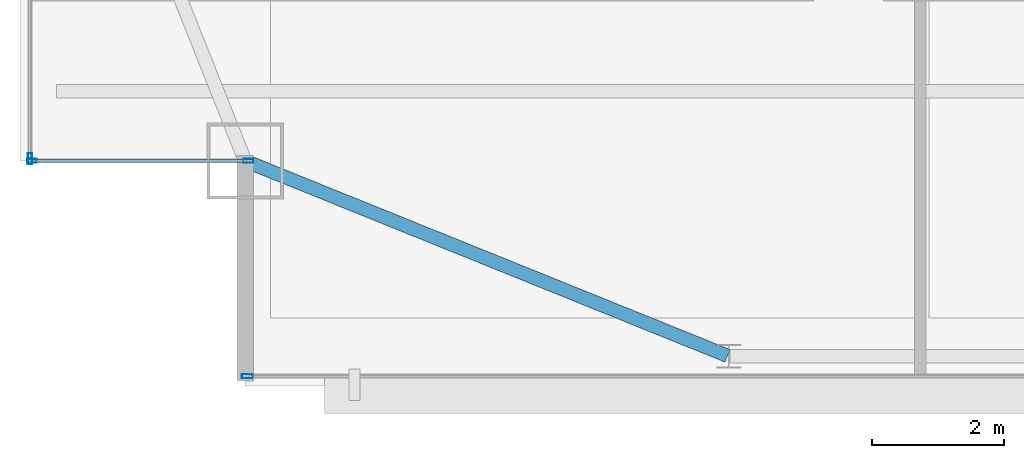
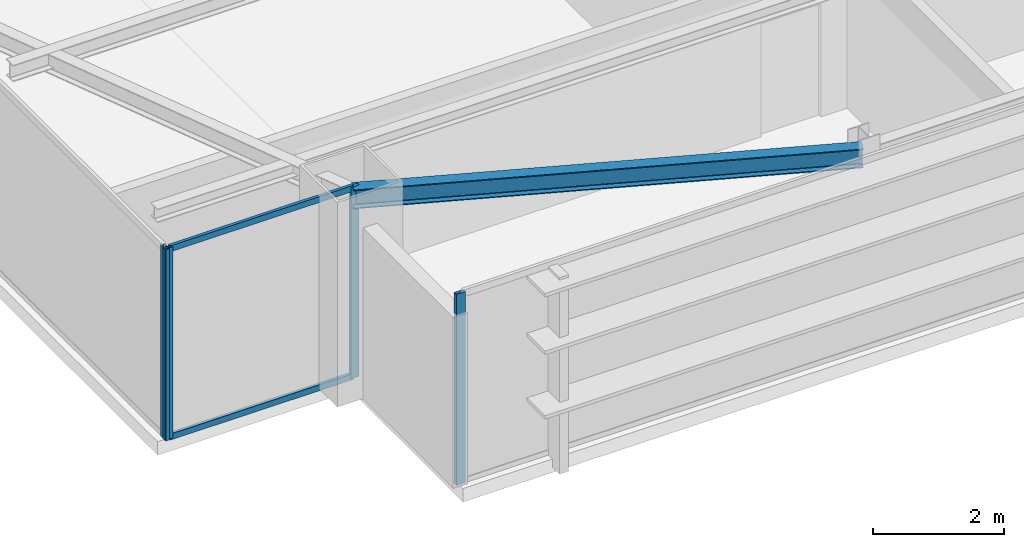
# One storey, part 4 of 25: 6 members, 1 beam, 3 elements without a shape of their own.
"""IFC4 building model written with IfcOpenShell, lengths in metres."""

from ifc_helpers import new_model, si_unit, direction, frame, origin, origin_2d, place, context, subcontext, project, spatial, hollow_rectangle, i_section, extrude, source, transform, mapped, material, layer, layer_set, material_profile, profile_set, type_object, type_shapes, element, aggregate, save


model = new_model("IFC4")

# Units and contexts
model_context = context("Model", 3, precision=1e-05, world=origin(), true_north=direction((0.0, 1.0)))
body_context = subcontext(model_context, "Body", "Model", "MODEL_VIEW")
ifc_project = project(units=[si_unit("LENGTHUNIT", "METRE"), si_unit("AREAUNIT", "SQUARE_METRE"), si_unit("VOLUMEUNIT", "CUBIC_METRE"), si_unit("PLANEANGLEUNIT", "RADIAN"), si_unit("MASSUNIT", "GRAM", prefix="KILO")], contexts=[model_context])

# Site, building, storey
site_placement = place(None, origin())
site = spatial("IfcSite", under=ifc_project, at=site_placement, CompositionType="ELEMENT")
building_placement = place(site_placement, origin())
building = spatial("IfcBuilding", under=site, at=building_placement, Name="Varnel Quay Broadcast Tower", CompositionType="ELEMENT")
storey_placement = place(building_placement, frame((0.0, 0.0, 226.39990234375)))
storey = spatial("IfcBuildingStorey", under=building, at=storey_placement, Name="L56", CompositionType="ELEMENT", Elevation=226.39990234375)

# Beam
ifc_material_1 = material(Name="Structural Steel CSA G40.21 350W", Category="steel")
ifc_material_profile_1 = material_profile(ifc_material_1, i_section(OverallWidth=0.205078125, OverallDepth=0.35400390625, WebThickness=0.009521484375, FlangeThickness=0.016845703125, FilletRadius=0.012939453125, at=origin_2d()), Name="W360X79")
ifc_profile_set_1 = profile_set([ifc_material_profile_1], Name="Structural Steel CSA G40.21 350W")
beam_type = type_object("IfcBeamType", Name="Beam_W360X79", PredefinedType="SPANDREL", material=ifc_profile_set_1)
shared_shape_1 = source(origin(), body_context, "Body", "SweptSolid", [
    extrude(i_section(OverallWidth=0.205078125, OverallDepth=0.35400390625, WebThickness=0.009521484375, FlangeThickness=0.016845703125, FilletRadius=0.012939453125, at=origin_2d()), origin(), (0.0, 0.0, 1.0), 7.83349609375),
])
type_shapes(beam_type, [shared_shape_1])
beam_placement = place(storey_placement, frame((12.91845703125, 13.592529296875, 3.373046875), z_axis=(0.927155449606, -0.374676890489, 0.0), x_axis=(0.374676890489, 0.927155449606, 0.0)))
element("IfcBeam", 1, at=beam_placement, inside=storey, type_object=beam_type, Name="L56 South Spandrel MC-SW-TC-S1", PredefinedType="SPANDREL", context=body_context, shape_type="MappedRepresentation", body=[
    mapped(shared_shape_1, transform((0.0, 0.0, 0.0), x_axis=(1.0, 0.0, 0.0), y_axis=(0.0, 1.0, 0.0), z_axis=(0.0, 0.0, 1.0), scale=1.0)),
])

# Curtain wall, members
ifc_material_2 = material(Name="Anodised Bronze Aluminium 6063-T6", Category="aluminium")
ifc_layer_1 = layer(ifc_material_2, 0.18994140625, Name="Anodised Bronze Aluminium 6063-T6")
ifc_layer_set_1 = layer_set([ifc_layer_1], Name="Anodised Bronze Aluminium 6063-T6")
curtain_wall_type_1 = type_object("IfcCurtainWallType", Name="CW_NotchCorner", PredefinedType="NOTDEFINED", material=ifc_layer_set_1)
curtain_wall_1_placement = place(storey_placement, origin())
curtain_wall_1 = element("IfcCurtainWall", 2, at=curtain_wall_1_placement, inside=storey, type_object=curtain_wall_type_1, Name="L56 SW Notch Curtain Wall", PredefinedType="NOTDEFINED")
ifc_material_profile_2 = material_profile(ifc_material_2, hollow_rectangle(XDim=0.06005859375, YDim=0.14501953125, WallThickness=0.00341796875, at=origin_2d()), Name="ALU60X145X3.5")
ifc_profile_set_2 = profile_set([ifc_material_profile_2], Name="Anodised Bronze Aluminium 6063-T6")
member_type_1 = type_object("IfcMemberType", Name="Mull_CWS-04", PredefinedType="MULLION", material=ifc_profile_set_2)
shared_shape_2 = source(origin(), body_context, "Body", "SweptSolid", [
    extrude(hollow_rectangle(XDim=0.06005859375, YDim=0.14501953125, WallThickness=0.00341796875, at=origin_2d()), origin(), (0.0, 0.0, 1.0), 3.550048828125),
])
type_shapes(member_type_1, [shared_shape_2])
member_1_placement = place(storey_placement, frame((9.679931640625, 13.60009765625, 0.0), z_axis=(0.0, 0.0, 1.0), x_axis=(0.0, 1.0, 0.0)))
member_1 = element("IfcMember", 3, at=member_1_placement, type_object=member_type_1, Name="CWS-04 mullion 1", PredefinedType="MULLION", context=body_context, shape_type="MappedRepresentation", body=[
    mapped(shared_shape_2, transform((0.0, 0.0, 0.0), x_axis=(1.0, 0.0, 0.0), y_axis=(0.0, 1.0, 0.0), z_axis=(0.0, 0.0, 1.0), scale=1.0)),
])
member_2_placement = place(storey_placement, frame((12.949951171875, 13.60009765625, 0.0), z_axis=(0.0, 0.0, 1.0), x_axis=(0.0, 1.0, 0.0)))
member_2 = element("IfcMember", 4, at=member_2_placement, type_object=member_type_1, Name="CWS-04 mullion 2", PredefinedType="MULLION", context=body_context, shape_type="MappedRepresentation", body=[
    mapped(shared_shape_2, transform((0.0, 0.0, 0.0), x_axis=(1.0, 0.0, 0.0), y_axis=(0.0, 1.0, 0.0), z_axis=(0.0, 0.0, 1.0), scale=1.0)),
])

# Curtain wall, member
ifc_layer_2 = layer(ifc_material_2, 0.18994140625, Name="Anodised Bronze Aluminium 6063-T6")
ifc_layer_set_2 = layer_set([ifc_layer_2], Name="Anodised Bronze Aluminium 6063-T6")
curtain_wall_type_2 = type_object("IfcCurtainWallType", Name="CW_UpperTower", PredefinedType="NOTDEFINED", material=ifc_layer_set_2)
curtain_wall_2_placement = place(storey_placement, origin())
curtain_wall_2 = element("IfcCurtainWall", 5, at=curtain_wall_2_placement, inside=storey, type_object=curtain_wall_type_2, Name="L56 South Unitised Curtain Wall 1", PredefinedType="NOTDEFINED")
ifc_material_profile_3 = material_profile(ifc_material_2, hollow_rectangle(XDim=0.06494140625, YDim=0.1650390625, WallThickness=0.00341796875, at=origin_2d()), Name="ALU65X165X3.5")
ifc_profile_set_3 = profile_set([ifc_material_profile_3], Name="Anodised Bronze Aluminium 6063-T6")
member_type_2 = type_object("IfcMemberType", Name="Mull_CWS-03", PredefinedType="MULLION", material=ifc_profile_set_3)
shared_shape_3 = source(origin(), body_context, "Body", "SweptSolid", [
    extrude(hollow_rectangle(XDim=0.06494140625, YDim=0.1650390625, WallThickness=0.00341796875, at=origin_2d()), origin(), (0.0, 0.0, 1.0), 3.550048828125),
])
type_shapes(member_type_2, [shared_shape_3])
member_3_placement = place(storey_placement, frame((12.9326171875, 10.35009765625, 0.0), z_axis=(0.0, 0.0, 1.0), x_axis=(0.0, 1.0, 0.0)))
member_3 = element("IfcMember", 6, at=member_3_placement, type_object=member_type_2, Name="CWS-03 mullion 1", PredefinedType="MULLION", context=body_context, shape_type="MappedRepresentation", body=[
    mapped(shared_shape_3, transform((0.0, 0.0, 0.0), x_axis=(1.0, 0.0, 0.0), y_axis=(0.0, 1.0, 0.0), z_axis=(0.0, 0.0, 1.0), scale=1.0)),
])
aggregate(curtain_wall_2, [member_3])

curtain_wall_3_placement = place(storey_placement, origin())
curtain_wall_3 = element("IfcCurtainWall", 7, at=curtain_wall_3_placement, inside=storey, type_object=curtain_wall_type_2, Name="L56 West Unitised Curtain Wall", PredefinedType="NOTDEFINED")
member_4_placement = place(storey_placement, frame((9.64990234375, 13.632568359375, 0.0), z_axis=(0.0, 0.0, 1.0), x_axis=(-1.0, 0.0, 0.0)))
member_4 = element("IfcMember", 8, at=member_4_placement, type_object=member_type_2, Name="CWS-03 mullion 1", PredefinedType="MULLION", context=body_context, shape_type="MappedRepresentation", body=[
    mapped(shared_shape_3, transform((0.0, 0.0, 0.0), x_axis=(1.0, 0.0, 0.0), y_axis=(0.0, 1.0, 0.0), z_axis=(0.0, 0.0, 1.0), scale=1.0)),
])
aggregate(curtain_wall_3, [member_4])

# Member
ifc_material_profile_4 = material_profile(ifc_material_2, hollow_rectangle(XDim=0.054931640625, YDim=0.110107421875, WallThickness=0.0029296875, at=origin_2d()), Name="ALU55X110X3")
ifc_profile_set_4 = profile_set([ifc_material_profile_4], Name="Anodised Bronze Aluminium 6063-T6")
member_type_3 = type_object("IfcMemberType", Name="Tran_CWS-04", PredefinedType="USERDEFINED", material=ifc_profile_set_4)
shared_shape_4 = source(origin(), body_context, "Body", "SweptSolid", [
    extrude(hollow_rectangle(XDim=0.054931640625, YDim=0.110107421875, WallThickness=0.0029296875, at=origin_2d()), origin(), (0.0, 0.0, 1.0), 3.2099609375),
])
type_shapes(member_type_3, [shared_shape_4])
member_5_placement = place(storey_placement, frame((9.7099609375, 13.60009765625, 0.027587890625), z_axis=(1.0, 0.0, 0.0), x_axis=(0.0, 1.0, 0.0)))
member_5 = element("IfcMember", 9, at=member_5_placement, type_object=member_type_3, Name="CWS-04 transom 1.1", ObjectType="TRANSOM", PredefinedType="USERDEFINED", context=body_context, shape_type="MappedRepresentation", body=[
    mapped(shared_shape_4, transform((0.0, 0.0, 0.0), x_axis=(1.0, 0.0, 0.0), y_axis=(0.0, 1.0, 0.0), z_axis=(0.0, 0.0, 1.0), scale=1.0)),
])

member_6_placement = place(storey_placement, frame((9.7099609375, 13.60009765625, 3.522705078125), z_axis=(1.0, 0.0, 0.0), x_axis=(0.0, 1.0, 0.0)))
member_6 = element("IfcMember", 10, at=member_6_placement, type_object=member_type_3, Name="CWS-04 transom 1.2", ObjectType="TRANSOM", PredefinedType="USERDEFINED", context=body_context, shape_type="MappedRepresentation", body=[
    mapped(shared_shape_4, transform((0.0, 0.0, 0.0), x_axis=(1.0, 0.0, 0.0), y_axis=(0.0, 1.0, 0.0), z_axis=(0.0, 0.0, 1.0), scale=1.0)),
])

aggregate(curtain_wall_1, [member_1, member_2, member_5, member_6])

save(model, "model.ifc")
